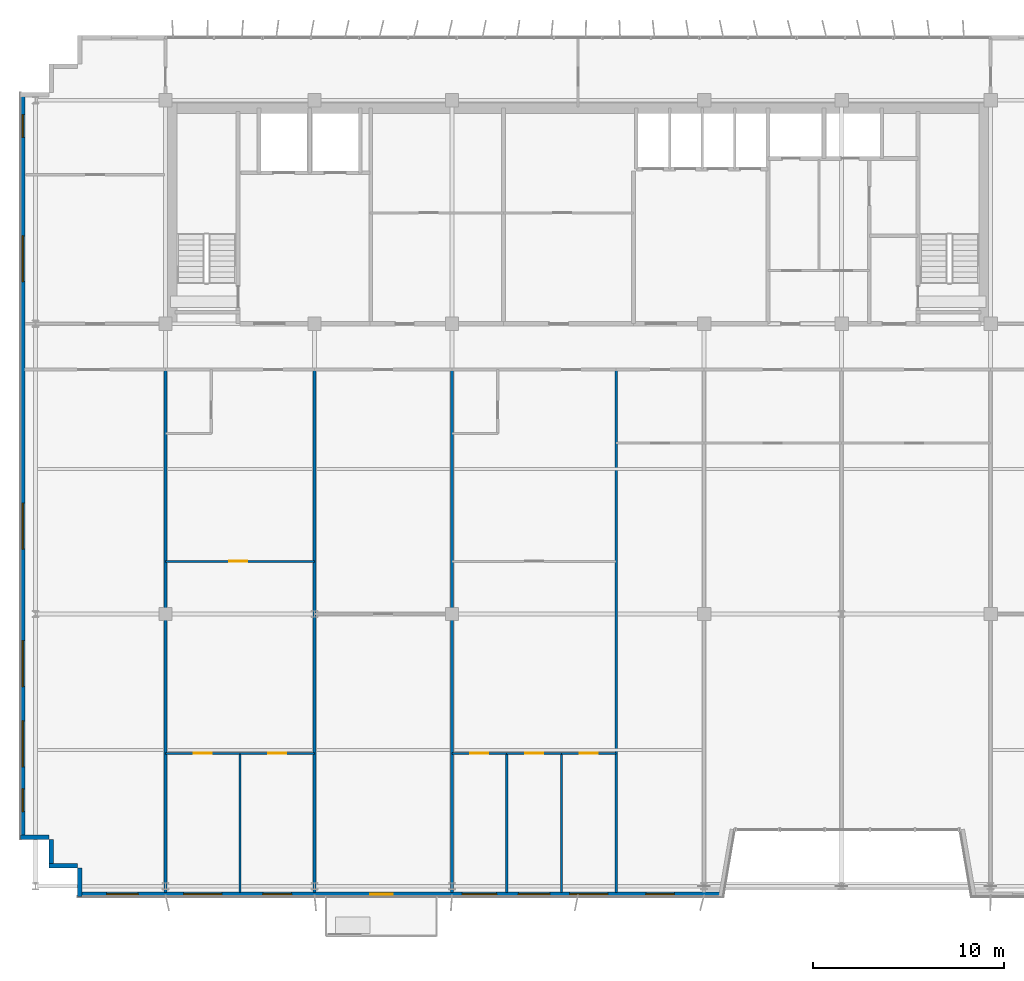
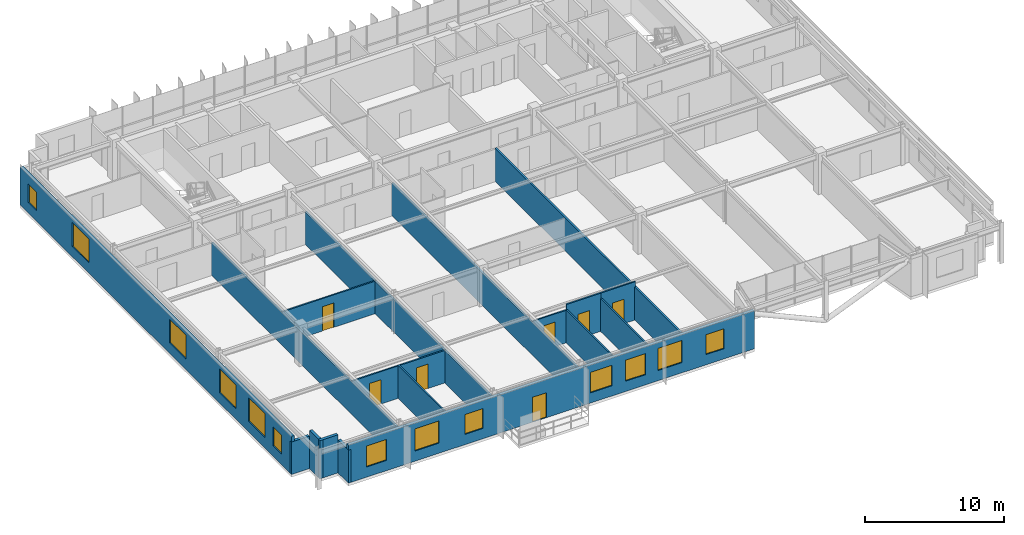
# One storey, part 21 of 27: 19 walls, 13 windows, 7 doors, 20 openings.
"""IFC4 building model written with IfcOpenShell, lengths in metres."""

from ifc_helpers import new_model, si_unit, direction, frame, frame_2d, origin, place, context, subcontext, project, spatial, rectangle, extrude, source, transform, mapped, material, layer, layer_set, type_object, element, fill, save


model = new_model("IFC4")

# Units and contexts
model_context = context("Model", 3, precision=1e-05, world=origin(), true_north=direction((0.0, 1.0)))
body_context = subcontext(model_context, "Body", "Model", "MODEL_VIEW")
ifc_project = project(units=[si_unit("LENGTHUNIT", "METRE"), si_unit("AREAUNIT", "SQUARE_METRE"), si_unit("VOLUMEUNIT", "CUBIC_METRE"), si_unit("PLANEANGLEUNIT", "RADIAN"), si_unit("MASSUNIT", "GRAM", prefix="KILO")], contexts=[model_context])

# Site, building, storey
site_placement = place(None, origin())
site = spatial("IfcSite", under=ifc_project, at=site_placement, CompositionType="ELEMENT")
building_placement = place(site_placement, origin())
building = spatial("IfcBuilding", under=site, at=building_placement, Name="Trelvane Seafront Commons", CompositionType="ELEMENT")
storey_placement = place(building_placement, frame((0.0, 0.0, 233.699951171875)))
storey = spatial("IfcBuildingStorey", under=building, at=storey_placement, Name="L61", CompositionType="ELEMENT", Elevation=233.699951171875)

# Walls
ifc_material_1 = material(Name="Precast concrete C40/50", Category="concrete")
ifc_layer_1 = layer(ifc_material_1, 0.239990234375, Name="ARCH-WALL-EXT240")
ifc_layer_set_1 = layer_set([ifc_layer_1], Name="Precast concrete C40/50")
wall_type_1 = type_object("IfcWallType", Name="ARCH-WALL-EXT240", PredefinedType="SOLIDWALL", material=ifc_layer_set_1)
for number, where, z_axis, x_axis, name in (
    (1, (11.0, 5.02001953125, 0.0), (0.0, 0.0, 1.0), (-1.0, 0.0, 0.0), "EW-L61-01231"),
    (2, (9.6201171875, 4.89990234375, 0.0), (0.0, 0.0, 1.0), (0.0, 1.0, 0.0), "EW-L61-01232"),
):
    element("IfcWall", number, at=place(storey_placement, frame(where, z_axis=z_axis, x_axis=x_axis)), inside=storey, type_object=wall_type_1, Name=name, PredefinedType="SOLIDWALL", context=body_context, shape_type="SweptSolid", body=[
        extrude(rectangle(XDim=1.5, YDim=0.239990234375, at=frame_2d((0.75, 0.0))), origin(), (0.0, 0.0, 1.0), 3.360107421875),
    ])
wall_1_placement = place(storey_placement, frame((9.5, 6.52001953125, 0.0), z_axis=(0.0, 0.0, 1.0), x_axis=(-1.0, 0.0, 0.0)))
element("IfcWall", 3, at=wall_1_placement, inside=storey, type_object=wall_type_1, Name="EW-L61-01233", PredefinedType="SOLIDWALL", context=body_context, shape_type="SweptSolid", body=[
    extrude(rectangle(XDim=1.5, YDim=0.239990234375, at=frame_2d((0.75, 0.0))), origin(), (0.0, 0.0, 1.0), 2.860107421875),
])

# Wall, openings, windows
wall_2_placement = place(storey_placement, frame((8.1201171875, 6.39990234375, 0.0), z_axis=(0.0, 0.0, 1.0), x_axis=(0.0, 1.0, 0.0)))
wall_2 = element("IfcWall", 4, at=wall_2_placement, inside=storey, type_object=wall_type_1, Name="EW-L61-01234", PredefinedType="SOLIDWALL", context=body_context, shape_type="SweptSolid", body=[
    extrude(rectangle(XDim=39.10009765625, YDim=0.239990234375, at=frame_2d((19.550048828125, 0.0))), origin(), (0.0, 0.0, 1.0), 3.360107421875),
])
opening_1_placement = place(wall_2_placement, frame((1.449951171875, 0.0, 0.919921875)))
opening_1 = element("IfcOpeningElement", 5, at=opening_1_placement, cuts=wall_2, Name="Opening W05", PredefinedType="OPENING", context=body_context, shape_type="SweptSolid", body=[
    extrude(rectangle(XDim=1.199951171875, YDim=1.64990234375, at=frame_2d((0.60009765625, 0.824951171875))), frame((0.0, 0.1298828125, 0.0), z_axis=(0.0, -1.0, 0.0), x_axis=(1.0, 0.0, 0.0)), (0.0, 0.0, 1.0), 0.260009765625),
])
opening_2_placement = place(wall_2_placement, frame((3.800048828125, 0.0, 0.919921875)))
opening_2 = element("IfcOpeningElement", 6, at=opening_2_placement, cuts=wall_2, Name="Opening W08", PredefinedType="OPENING", context=body_context, shape_type="SweptSolid", body=[
    extrude(rectangle(XDim=2.39990234375, YDim=2.10009765625, at=frame_2d((1.199951171875, 1.050048828125))), frame((0.0, 0.1298828125, 0.0), z_axis=(0.0, -1.0, 0.0), x_axis=(1.0, 0.0, 0.0)), (0.0, 0.0, 1.0), 0.260009765625),
])
opening_3_placement = place(wall_2_placement, frame((8.0, 0.0, 0.919921875)))
opening_3 = element("IfcOpeningElement", 7, at=opening_3_placement, cuts=wall_2, Name="Opening W08", PredefinedType="OPENING", context=body_context, shape_type="SweptSolid", body=[
    extrude(rectangle(XDim=2.39990234375, YDim=2.10009765625, at=frame_2d((1.199951171875, 1.050048828125))), frame((0.0, 0.1298828125, 0.0), z_axis=(0.0, -1.0, 0.0), x_axis=(1.0, 0.0, 0.0)), (0.0, 0.0, 1.0), 0.260009765625),
])
opening_4_placement = place(wall_2_placement, frame((15.199951171875, 0.0, 0.919921875)))
opening_4 = element("IfcOpeningElement", 8, at=opening_4_placement, cuts=wall_2, Name="Opening W08", PredefinedType="OPENING", context=body_context, shape_type="SweptSolid", body=[
    extrude(rectangle(XDim=2.39990234375, YDim=2.10009765625, at=frame_2d((1.199951171875, 1.050048828125))), frame((0.0, 0.1298828125, 0.0), z_axis=(0.0, -1.0, 0.0), x_axis=(1.0, 0.0, 0.0)), (0.0, 0.0, 1.0), 0.260009765625),
])
opening_5_placement = place(wall_2_placement, frame((29.199951171875, 0.0, 0.919921875)))
opening_5 = element("IfcOpeningElement", 9, at=opening_5_placement, cuts=wall_2, Name="Opening W08", PredefinedType="OPENING", context=body_context, shape_type="SweptSolid", body=[
    extrude(rectangle(XDim=2.39990234375, YDim=2.10009765625, at=frame_2d((1.199951171875, 1.050048828125))), frame((0.0, 0.1298828125, 0.0), z_axis=(0.0, -1.0, 0.0), x_axis=(1.0, 0.0, 0.0)), (0.0, 0.0, 1.0), 0.260009765625),
])
opening_6_placement = place(wall_2_placement, frame((36.75, 0.0, 0.919921875)))
opening_6 = element("IfcOpeningElement", 10, at=opening_6_placement, cuts=wall_2, Name="Opening W05", PredefinedType="OPENING", context=body_context, shape_type="SweptSolid", body=[
    extrude(rectangle(XDim=1.199951171875, YDim=1.64990234375, at=frame_2d((0.60009765625, 0.824951171875))), frame((0.0, 0.1298828125, 0.0), z_axis=(0.0, -1.0, 0.0), x_axis=(1.0, 0.0, 0.0)), (0.0, 0.0, 1.0), 0.260009765625),
])
ifc_material_2 = material(Name="Low-E coastal double glazing", Category="glass")
window_type_1 = type_object("IfcWindowType", Name="ARCH-WIN-W08", PartitioningType="SINGLE_PANEL", PredefinedType="WINDOW", material=ifc_material_2)
shared_shape_1 = source(origin(), body_context, "Body", "SweptSolid", [
    extrude(rectangle(XDim=2.39990234375, YDim=2.10009765625, at=frame_2d((1.199951171875, 1.050048828125))), frame((0.0, 0.030029296875, 0.0), z_axis=(0.0, -1.0, 0.0), x_axis=(1.0, 0.0, 0.0)), (0.0, 0.0, 1.0), 0.06005859375),
])
window_1_placement = place(opening_2_placement, origin())
window_1 = element("IfcWindow", 11, at=window_1_placement, inside=storey, type_object=window_type_1, Name="WIN-L61-EW-01491", OverallHeight=2.10009765625, OverallWidth=2.39990234375, PartitioningType="SINGLE_PANEL", PredefinedType="WINDOW", context=body_context, shape_type="MappedRepresentation", body=[
    mapped(shared_shape_1, transform((0.0, 0.0, 0.0), x_axis=(1.0, 0.0, 0.0), y_axis=(0.0, 1.0, 0.0), z_axis=(0.0, 0.0, 1.0), scale=1.0)),
])
fill(opening_2, window_1)
window_2_placement = place(opening_3_placement, origin())
window_2 = element("IfcWindow", 12, at=window_2_placement, inside=storey, type_object=window_type_1, Name="WIN-L61-EW-01492", OverallHeight=2.10009765625, OverallWidth=2.39990234375, PartitioningType="SINGLE_PANEL", PredefinedType="WINDOW", context=body_context, shape_type="MappedRepresentation", body=[
    mapped(shared_shape_1, transform((0.0, 0.0, 0.0), x_axis=(1.0, 0.0, 0.0), y_axis=(0.0, 1.0, 0.0), z_axis=(0.0, 0.0, 1.0), scale=1.0)),
])
fill(opening_3, window_2)
window_3_placement = place(opening_4_placement, origin())
window_3 = element("IfcWindow", 13, at=window_3_placement, inside=storey, type_object=window_type_1, Name="WIN-L61-EW-01493", OverallHeight=2.10009765625, OverallWidth=2.39990234375, PartitioningType="SINGLE_PANEL", PredefinedType="WINDOW", context=body_context, shape_type="MappedRepresentation", body=[
    mapped(shared_shape_1, transform((0.0, 0.0, 0.0), x_axis=(1.0, 0.0, 0.0), y_axis=(0.0, 1.0, 0.0), z_axis=(0.0, 0.0, 1.0), scale=1.0)),
])
fill(opening_4, window_3)
window_4_placement = place(opening_5_placement, origin())
window_4 = element("IfcWindow", 14, at=window_4_placement, inside=storey, type_object=window_type_1, Name="WIN-L61-EW-01494", OverallHeight=2.10009765625, OverallWidth=2.39990234375, PartitioningType="SINGLE_PANEL", PredefinedType="WINDOW", context=body_context, shape_type="MappedRepresentation", body=[
    mapped(shared_shape_1, transform((0.0, 0.0, 0.0), x_axis=(1.0, 0.0, 0.0), y_axis=(0.0, 1.0, 0.0), z_axis=(0.0, 0.0, 1.0), scale=1.0)),
])
fill(opening_5, window_4)
window_type_2 = type_object("IfcWindowType", Name="ARCH-WIN-W05", PartitioningType="SINGLE_PANEL", PredefinedType="WINDOW", material=ifc_material_2)
shared_shape_2 = source(origin(), body_context, "Body", "SweptSolid", [
    extrude(rectangle(XDim=1.199951171875, YDim=1.64990234375, at=frame_2d((0.60009765625, 0.824951171875))), frame((0.0, 0.030029296875, 0.0), z_axis=(0.0, -1.0, 0.0), x_axis=(1.0, 0.0, 0.0)), (0.0, 0.0, 1.0), 0.06005859375),
])
window_5_placement = place(opening_1_placement, origin())
window_5 = element("IfcWindow", 15, at=window_5_placement, inside=storey, type_object=window_type_2, Name="WIN-L61-EW-01490", OverallHeight=1.64990234375, OverallWidth=1.199951171875, PartitioningType="SINGLE_PANEL", PredefinedType="WINDOW", context=body_context, shape_type="MappedRepresentation", body=[
    mapped(shared_shape_2, transform((0.0, 0.0, 0.0), x_axis=(1.0, 0.0, 0.0), y_axis=(0.0, 1.0, 0.0), z_axis=(0.0, 0.0, 1.0), scale=1.0)),
])
fill(opening_1, window_5)
window_6_placement = place(opening_6_placement, origin())
window_6 = element("IfcWindow", 16, at=window_6_placement, inside=storey, type_object=window_type_2, Name="WIN-L61-EW-01495", OverallHeight=1.64990234375, OverallWidth=1.199951171875, PartitioningType="SINGLE_PANEL", PredefinedType="WINDOW", context=body_context, shape_type="MappedRepresentation", body=[
    mapped(shared_shape_2, transform((0.0, 0.0, 0.0), x_axis=(1.0, 0.0, 0.0), y_axis=(0.0, 1.0, 0.0), z_axis=(0.0, 0.0, 1.0), scale=1.0)),
])
fill(opening_6, window_6)

# Wall, openings, door, windows
wall_3_placement = place(storey_placement, frame((44.800048828125, 3.52001953125, 0.0), z_axis=(0.0, 0.0, 1.0), x_axis=(-1.0, 0.0, 0.0)))
wall_3 = element("IfcWall", 17, at=wall_3_placement, inside=storey, type_object=wall_type_1, Name="EW-L61-01251", PredefinedType="SOLIDWALL", context=body_context, shape_type="SweptSolid", body=[
    extrude(rectangle(XDim=33.800048828125, YDim=0.239990234375, at=frame_2d((16.89990234375, 0.0))), origin(), (0.0, 0.0, 1.0), 3.360107421875),
])
opening_7_placement = place(wall_3_placement, frame((2.550048828125, 0.0, 0.89990234375)))
opening_7 = element("IfcOpeningElement", 18, at=opening_7_placement, cuts=wall_3, Name="Opening W03", PredefinedType="OPENING", context=body_context, shape_type="SweptSolid", body=[
    extrude(rectangle(XDim=1.5, YDim=1.75, at=frame_2d((0.75, 0.875))), frame((0.0, 0.1298828125, 0.0), z_axis=(0.0, -1.0, 0.0), x_axis=(1.0, 0.0, 0.0)), (0.0, 0.0, 1.0), 0.260009765625),
])
opening_8_placement = place(wall_3_placement, frame((6.033935546875, 0.0, 0.89990234375)))
opening_8 = element("IfcOpeningElement", 19, at=opening_8_placement, cuts=wall_3, Name="Opening W06", PredefinedType="OPENING", context=body_context, shape_type="SweptSolid", body=[
    extrude(rectangle(XDim=2.0, YDim=1.949951171875, at=frame_2d((1.0, 0.97509765625))), frame((0.0, 0.1298828125, 0.0), z_axis=(0.0, -1.0, 0.0), x_axis=(1.0, 0.0, 0.0)), (0.0, 0.0, 1.0), 0.260009765625),
])
opening_9_placement = place(wall_3_placement, frame((9.074951171875, 0.0, 0.89990234375)))
opening_9 = element("IfcOpeningElement", 20, at=opening_9_placement, cuts=wall_3, Name="Opening W07", PredefinedType="OPENING", context=body_context, shape_type="SweptSolid", body=[
    extrude(rectangle(XDim=1.64990234375, YDim=1.85009765625, at=frame_2d((0.824951171875, 0.925048828125))), frame((0.0, 0.1298828125, 0.0), z_axis=(0.0, -1.0, 0.0), x_axis=(1.0, 0.0, 0.0)), (0.0, 0.0, 1.0), 0.260009765625),
])
opening_10_placement = place(wall_3_placement, frame((11.866943359375, 0.0, 0.89990234375)))
opening_10 = element("IfcOpeningElement", 21, at=opening_10_placement, cuts=wall_3, Name="Opening W01", PredefinedType="OPENING", context=body_context, shape_type="SweptSolid", body=[
    extrude(rectangle(XDim=1.800048828125, YDim=1.800048828125, at=frame_2d((0.89990234375, 0.89990234375))), frame((0.0, 0.1298828125, 0.0), z_axis=(0.0, -1.0, 0.0), x_axis=(1.0, 0.0, 0.0)), (0.0, 0.0, 1.0), 0.260009765625),
])
opening_11_placement = place(wall_3_placement, frame((17.291015625, 0.0, 0.0)))
opening_11 = element("IfcOpeningElement", 22, at=opening_11_placement, cuts=wall_3, Name="Opening BD-L61-128", PredefinedType="OPENING", context=body_context, shape_type="SweptSolid", body=[
    extrude(rectangle(XDim=1.199951171875, YDim=2.199951171875, at=frame_2d((0.60009765625, 1.10009765625))), frame((0.0, 0.1298828125, 0.0), z_axis=(0.0, -1.0, 0.0), x_axis=(1.0, 0.0, 0.0)), (0.0, 0.0, 1.0), 0.260009765625),
])
opening_12_placement = place(wall_3_placement, frame((22.60009765625, 0.0, 0.89990234375)))
opening_12 = element("IfcOpeningElement", 23, at=opening_12_placement, cuts=wall_3, Name="Opening W03", PredefinedType="OPENING", context=body_context, shape_type="SweptSolid", body=[
    extrude(rectangle(XDim=1.5, YDim=1.75, at=frame_2d((0.75, 0.875))), frame((0.0, 0.1298828125, 0.0), z_axis=(0.0, -1.0, 0.0), x_axis=(1.0, 0.0, 0.0)), (0.0, 0.0, 1.0), 0.260009765625),
])
opening_13_placement = place(wall_3_placement, frame((26.25, 0.0, 0.89990234375)))
opening_13 = element("IfcOpeningElement", 24, at=opening_13_placement, cuts=wall_3, Name="Opening W06", PredefinedType="OPENING", context=body_context, shape_type="SweptSolid", body=[
    extrude(rectangle(XDim=2.0, YDim=1.949951171875, at=frame_2d((1.0, 0.97509765625))), frame((0.0, 0.1298828125, 0.0), z_axis=(0.0, -1.0, 0.0), x_axis=(1.0, 0.0, 0.0)), (0.0, 0.0, 1.0), 0.260009765625),
])
opening_14_placement = place(wall_3_placement, frame((30.6298828125, 0.0, 0.89990234375)))
opening_14 = element("IfcOpeningElement", 25, at=opening_14_placement, cuts=wall_3, Name="Opening W07", PredefinedType="OPENING", context=body_context, shape_type="SweptSolid", body=[
    extrude(rectangle(XDim=1.64990234375, YDim=1.85009765625, at=frame_2d((0.824951171875, 0.925048828125))), frame((0.0, 0.1298828125, 0.0), z_axis=(0.0, -1.0, 0.0), x_axis=(1.0, 0.0, 0.0)), (0.0, 0.0, 1.0), 0.260009765625),
])
ifc_material_3 = material(Name="Powder-coated aluminium frame", Category="aluminium")
door_type_1 = type_object("IfcDoorType", Name="ARCH-DR-BAL1200", OperationType="NOTDEFINED", PredefinedType="DOOR", material=ifc_material_3)
shared_shape_3 = source(origin(), body_context, "Body", "SweptSolid", [
    extrude(rectangle(XDim=1.199951171875, YDim=2.199951171875, at=frame_2d((0.60009765625, 1.10009765625))), frame((0.0, 0.02490234375, 0.0), z_axis=(0.0, -1.0, 0.0), x_axis=(1.0, 0.0, 0.0)), (0.0, 0.0, 1.0), 0.050048828125),
])
door_1_placement = place(opening_11_placement, origin())
door_1 = element("IfcDoor", 26, at=door_1_placement, inside=storey, type_object=door_type_1, Name="L61 Balcony Terrace Access Door", OperationType="SINGLE_SWING_LEFT", OverallHeight=2.199951171875, OverallWidth=1.199951171875, PredefinedType="DOOR", context=body_context, shape_type="MappedRepresentation", body=[
    mapped(shared_shape_3, transform((0.0, 0.0, 0.0), x_axis=(1.0, 0.0, 0.0), y_axis=(0.0, 1.0, 0.0), z_axis=(0.0, 0.0, 1.0), scale=1.0)),
])
fill(opening_11, door_1)
window_type_3 = type_object("IfcWindowType", Name="ARCH-WIN-W03", PartitioningType="SINGLE_PANEL", PredefinedType="WINDOW", material=ifc_material_2)
shared_shape_4 = source(origin(), body_context, "Body", "SweptSolid", [
    extrude(rectangle(XDim=1.5, YDim=1.75, at=frame_2d((0.75, 0.875))), frame((0.0, 0.030029296875, 0.0), z_axis=(0.0, -1.0, 0.0), x_axis=(1.0, 0.0, 0.0)), (0.0, 0.0, 1.0), 0.06005859375),
])
window_7_placement = place(opening_7_placement, origin())
window_7 = element("IfcWindow", 27, at=window_7_placement, inside=storey, type_object=window_type_3, Name="WIN-L61-01504", OverallHeight=1.75, OverallWidth=1.5, PartitioningType="SINGLE_PANEL", PredefinedType="WINDOW", context=body_context, shape_type="MappedRepresentation", body=[
    mapped(shared_shape_4, transform((0.0, 0.0, 0.0), x_axis=(1.0, 0.0, 0.0), y_axis=(0.0, 1.0, 0.0), z_axis=(0.0, 0.0, 1.0), scale=1.0)),
])
fill(opening_7, window_7)
window_8_placement = place(opening_12_placement, origin())
window_8 = element("IfcWindow", 28, at=window_8_placement, inside=storey, type_object=window_type_3, Name="WIN-L61-01508", OverallHeight=1.75, OverallWidth=1.5, PartitioningType="SINGLE_PANEL", PredefinedType="WINDOW", context=body_context, shape_type="MappedRepresentation", body=[
    mapped(shared_shape_4, transform((0.0, 0.0, 0.0), x_axis=(1.0, 0.0, 0.0), y_axis=(0.0, 1.0, 0.0), z_axis=(0.0, 0.0, 1.0), scale=1.0)),
])
fill(opening_12, window_8)
window_type_4 = type_object("IfcWindowType", Name="ARCH-WIN-W06", PartitioningType="SINGLE_PANEL", PredefinedType="WINDOW", material=ifc_material_2)
shared_shape_5 = source(origin(), body_context, "Body", "SweptSolid", [
    extrude(rectangle(XDim=2.0, YDim=1.949951171875, at=frame_2d((1.0, 0.97509765625))), frame((0.0, 0.030029296875, 0.0), z_axis=(0.0, -1.0, 0.0), x_axis=(1.0, 0.0, 0.0)), (0.0, 0.0, 1.0), 0.06005859375),
])
window_9_placement = place(opening_8_placement, origin())
window_9 = element("IfcWindow", 29, at=window_9_placement, inside=storey, type_object=window_type_4, Name="WIN-L61-01505", OverallHeight=1.949951171875, OverallWidth=2.0, PartitioningType="SINGLE_PANEL", PredefinedType="WINDOW", context=body_context, shape_type="MappedRepresentation", body=[
    mapped(shared_shape_5, transform((0.0, 0.0, 0.0), x_axis=(1.0, 0.0, 0.0), y_axis=(0.0, 1.0, 0.0), z_axis=(0.0, 0.0, 1.0), scale=1.0)),
])
fill(opening_8, window_9)
window_10_placement = place(opening_13_placement, origin())
window_10 = element("IfcWindow", 30, at=window_10_placement, inside=storey, type_object=window_type_4, Name="WIN-L61-01509", OverallHeight=1.949951171875, OverallWidth=2.0, PartitioningType="SINGLE_PANEL", PredefinedType="WINDOW", context=body_context, shape_type="MappedRepresentation", body=[
    mapped(shared_shape_5, transform((0.0, 0.0, 0.0), x_axis=(1.0, 0.0, 0.0), y_axis=(0.0, 1.0, 0.0), z_axis=(0.0, 0.0, 1.0), scale=1.0)),
])
fill(opening_13, window_10)
window_type_5 = type_object("IfcWindowType", Name="ARCH-WIN-W01", PartitioningType="SINGLE_PANEL", PredefinedType="WINDOW", material=ifc_material_2)
shared_shape_6 = source(origin(), body_context, "Body", "SweptSolid", [
    extrude(rectangle(XDim=1.800048828125, YDim=1.800048828125, at=frame_2d((0.89990234375, 0.89990234375))), frame((0.0, 0.030029296875, 0.0), z_axis=(0.0, -1.0, 0.0), x_axis=(1.0, 0.0, 0.0)), (0.0, 0.0, 1.0), 0.06005859375),
])
window_11_placement = place(opening_10_placement, origin())
window_11 = element("IfcWindow", 31, at=window_11_placement, inside=storey, type_object=window_type_5, Name="WIN-L61-01507", OverallHeight=1.800048828125, OverallWidth=1.800048828125, PartitioningType="SINGLE_PANEL", PredefinedType="WINDOW", context=body_context, shape_type="MappedRepresentation", body=[
    mapped(shared_shape_6, transform((0.0, 0.0, 0.0), x_axis=(1.0, 0.0, 0.0), y_axis=(0.0, 1.0, 0.0), z_axis=(0.0, 0.0, 1.0), scale=1.0)),
])
fill(opening_10, window_11)
window_type_6 = type_object("IfcWindowType", Name="ARCH-WIN-W07", PartitioningType="SINGLE_PANEL", PredefinedType="WINDOW", material=ifc_material_2)
shared_shape_7 = source(origin(), body_context, "Body", "SweptSolid", [
    extrude(rectangle(XDim=1.64990234375, YDim=1.85009765625, at=frame_2d((0.824951171875, 0.925048828125))), frame((0.0, 0.030029296875, 0.0), z_axis=(0.0, -1.0, 0.0), x_axis=(1.0, 0.0, 0.0)), (0.0, 0.0, 1.0), 0.06005859375),
])
window_12_placement = place(opening_9_placement, origin())
window_12 = element("IfcWindow", 32, at=window_12_placement, inside=storey, type_object=window_type_6, Name="WIN-L61-01506", OverallHeight=1.85009765625, OverallWidth=1.64990234375, PartitioningType="SINGLE_PANEL", PredefinedType="WINDOW", context=body_context, shape_type="MappedRepresentation", body=[
    mapped(shared_shape_7, transform((0.0, 0.0, 0.0), x_axis=(1.0, 0.0, 0.0), y_axis=(0.0, 1.0, 0.0), z_axis=(0.0, 0.0, 1.0), scale=1.0)),
])
fill(opening_9, window_12)
window_13_placement = place(opening_14_placement, origin())
window_13 = element("IfcWindow", 33, at=window_13_placement, inside=storey, type_object=window_type_6, Name="WIN-L61-01510", OverallHeight=1.85009765625, OverallWidth=1.64990234375, PartitioningType="SINGLE_PANEL", PredefinedType="WINDOW", context=body_context, shape_type="MappedRepresentation", body=[
    mapped(shared_shape_7, transform((0.0, 0.0, 0.0), x_axis=(1.0, 0.0, 0.0), y_axis=(0.0, 1.0, 0.0), z_axis=(0.0, 0.0, 1.0), scale=1.0)),
])
fill(opening_14, window_13)

# Wall
wall_4_placement = place(storey_placement, frame((11.1201171875, 3.39990234375, 0.0), z_axis=(0.0, 0.0, 1.0), x_axis=(0.0, 1.0, 0.0)))
element("IfcWall", 34, at=wall_4_placement, inside=storey, type_object=wall_type_1, Name="EW-L61-01252", PredefinedType="SOLIDWALL", context=body_context, shape_type="SweptSolid", body=[
    extrude(rectangle(XDim=1.5, YDim=0.239990234375, at=frame_2d((0.75, 0.0))), origin(), (0.0, 0.0, 1.0), 2.91015625),
])

# Wall, opening, door
ifc_material_4 = material(Name="Gypsum Drywall Acoustic Partition")
ifc_layer_2 = layer(ifc_material_4, 0.1201171875, Name="ARCH-WALL-PART120")
ifc_layer_set_2 = layer_set([ifc_layer_2], Name="Gypsum Drywall Acoustic Partition")
wall_type_2 = type_object("IfcWallType", Name="ARCH-WALL-PART120", PredefinedType="PARTITIONING", material=ifc_layer_set_2)
wall_5_placement = place(storey_placement, frame((15.60009765625, 20.949951171875, 0.0), z_axis=(0.0, 0.0, 1.0), x_axis=(1.0, 0.0, 0.0)))
wall_5 = element("IfcWall", 35, at=wall_5_placement, inside=storey, type_object=wall_type_2, Name="W-L61-U2-KL-049", PredefinedType="PARTITIONING", context=body_context, shape_type="SweptSolid", body=[
    extrude(rectangle(XDim=7.7998046875, YDim=0.1201171875, at=frame_2d((3.89990234375, 0.0))), origin(), (0.0, 0.0, 1.0), 2.860107421875),
])
opening_15_placement = place(wall_5_placement, frame((3.3330078125, 0.0, 0.0)))
opening_15 = element("IfcOpeningElement", 36, at=opening_15_placement, cuts=wall_5, Name="Opening D-L61-29", PredefinedType="OPENING", context=body_context, shape_type="SweptSolid", body=[
    extrude(rectangle(XDim=0.949951171875, YDim=2.14990234375, at=frame_2d((0.47509765625, 1.074951171875))), frame((0.0, 0.070068359375, 0.0), z_axis=(0.0, -1.0, 0.0), x_axis=(1.0, 0.0, 0.0)), (0.0, 0.0, 1.0), 0.14013671875),
])
ifc_material_5 = material(Name="Acoustic timber door leaf", Category="wood")
door_type_2 = type_object("IfcDoorType", Name="ARCH-DR-INT950", OperationType="NOTDEFINED", PredefinedType="DOOR", material=ifc_material_5)
shared_shape_8 = source(origin(), body_context, "Body", "SweptSolid", [
    extrude(rectangle(XDim=0.949951171875, YDim=2.14990234375, at=frame_2d((0.47509765625, 1.074951171875))), frame((0.0, 0.02490234375, 0.0), z_axis=(0.0, -1.0, 0.0), x_axis=(1.0, 0.0, 0.0)), (0.0, 0.0, 1.0), 0.050048828125),
])
door_2_placement = place(opening_15_placement, origin())
door_2 = element("IfcDoor", 37, at=door_2_placement, inside=storey, type_object=door_type_2, Name="L61 Door 29", OperationType="SINGLE_SWING_LEFT", OverallHeight=2.14990234375, OverallWidth=0.949951171875, PredefinedType="DOOR", context=body_context, shape_type="MappedRepresentation", body=[
    mapped(shared_shape_8, transform((0.0, 0.0, 0.0), x_axis=(1.0, 0.0, 0.0), y_axis=(0.0, 1.0, 0.0), z_axis=(0.0, 0.0, 1.0), scale=1.0)),
])
fill(opening_15, door_2)

wall_6_placement = place(storey_placement, frame((15.60009765625, 10.89990234375, 0.0), z_axis=(0.0, 0.0, 1.0), x_axis=(1.0, 0.0, 0.0)))
wall_6 = element("IfcWall", 38, at=wall_6_placement, inside=storey, type_object=wall_type_2, Name="W-L61-U2-YM-1-053", PredefinedType="PARTITIONING", context=body_context, shape_type="SweptSolid", body=[
    extrude(rectangle(XDim=3.89990234375, YDim=0.1201171875, at=frame_2d((1.949951171875, 0.0))), origin(), (0.0, 0.0, 1.0), 2.860107421875),
])
opening_16_placement = place(wall_6_placement, frame((1.47509765625, 0.0, 0.0)))
opening_16 = element("IfcOpeningElement", 39, at=opening_16_placement, cuts=wall_6, Name="Opening D-L61-32", PredefinedType="OPENING", context=body_context, shape_type="SweptSolid", body=[
    extrude(rectangle(XDim=0.949951171875, YDim=2.14990234375, at=frame_2d((0.47509765625, 1.074951171875))), frame((0.0, 0.070068359375, 0.0), z_axis=(0.0, -1.0, 0.0), x_axis=(1.0, 0.0, 0.0)), (0.0, 0.0, 1.0), 0.14013671875),
])
door_3_placement = place(opening_16_placement, origin())
door_3 = element("IfcDoor", 40, at=door_3_placement, inside=storey, type_object=door_type_2, Name="L61 Door 32", OperationType="SINGLE_SWING_RIGHT", OverallHeight=2.14990234375, OverallWidth=0.949951171875, PredefinedType="DOOR", context=body_context, shape_type="MappedRepresentation", body=[
    mapped(shared_shape_8, transform((0.0, 0.0, 0.0), x_axis=(1.0, 0.0, 0.0), y_axis=(0.0, 1.0, 0.0), z_axis=(0.0, 0.0, 1.0), scale=1.0)),
])
fill(opening_16, door_3)

wall_7_placement = place(storey_placement, frame((19.5, 10.89990234375, 0.0), z_axis=(0.0, 0.0, 1.0), x_axis=(1.0, 0.0, 0.0)))
wall_7 = element("IfcWall", 41, at=wall_7_placement, inside=storey, type_object=wall_type_2, Name="W-L61-U2-YM-2-054", PredefinedType="PARTITIONING", context=body_context, shape_type="SweptSolid", body=[
    extrude(rectangle(XDim=3.89990234375, YDim=0.1201171875, at=frame_2d((1.949951171875, 0.0))), origin(), (0.0, 0.0, 1.0), 2.860107421875),
])
opening_17_placement = place(wall_7_placement, frame((1.47509765625, 0.0, 0.0)))
opening_17 = element("IfcOpeningElement", 42, at=opening_17_placement, cuts=wall_7, Name="Opening D-L61-33", PredefinedType="OPENING", context=body_context, shape_type="SweptSolid", body=[
    extrude(rectangle(XDim=0.949951171875, YDim=2.14990234375, at=frame_2d((0.47509765625, 1.074951171875))), frame((0.0, 0.070068359375, 0.0), z_axis=(0.0, -1.0, 0.0), x_axis=(1.0, 0.0, 0.0)), (0.0, 0.0, 1.0), 0.14013671875),
])
door_4_placement = place(opening_17_placement, origin())
door_4 = element("IfcDoor", 43, at=door_4_placement, inside=storey, type_object=door_type_2, Name="L61 Door 33", OperationType="SINGLE_SWING_LEFT", OverallHeight=2.14990234375, OverallWidth=0.949951171875, PredefinedType="DOOR", context=body_context, shape_type="MappedRepresentation", body=[
    mapped(shared_shape_8, transform((0.0, 0.0, 0.0), x_axis=(1.0, 0.0, 0.0), y_axis=(0.0, 1.0, 0.0), z_axis=(0.0, 0.0, 1.0), scale=1.0)),
])
fill(opening_17, door_4)

# Wall
wall_8_placement = place(storey_placement, frame((19.5, 3.625, 0.0), z_axis=(0.0, 0.0, 1.0), x_axis=(0.0, 1.0, 0.0)))
element("IfcWall", 44, at=wall_8_placement, inside=storey, type_object=wall_type_2, Name="W-L61-U2-BDV-1-055", PredefinedType="PARTITIONING", context=body_context, shape_type="SweptSolid", body=[
    extrude(rectangle(XDim=7.27490234375, YDim=0.1201171875, at=frame_2d((3.637451171875, 0.0))), origin(), (0.0, 0.0, 1.0), 2.91015625),
])

# Wall, opening, door
wall_9_placement = place(storey_placement, frame((30.60009765625, 10.89990234375, 0.0), z_axis=(0.0, 0.0, 1.0), x_axis=(1.0, 0.0, 0.0)))
wall_9 = element("IfcWall", 45, at=wall_9_placement, inside=storey, type_object=wall_type_2, Name="W-L61-U4-YM-1-062", PredefinedType="PARTITIONING", context=body_context, shape_type="SweptSolid", body=[
    extrude(rectangle(XDim=2.866943359375, YDim=0.1201171875, at=frame_2d((1.43359375, 0.0))), origin(), (0.0, 0.0, 1.0), 2.860107421875),
])
opening_18_placement = place(wall_9_placement, frame((0.9580078125, 0.0, 0.0)))
opening_18 = element("IfcOpeningElement", 46, at=opening_18_placement, cuts=wall_9, Name="Opening D-L61-39", PredefinedType="OPENING", context=body_context, shape_type="SweptSolid", body=[
    extrude(rectangle(XDim=0.949951171875, YDim=2.14990234375, at=frame_2d((0.47509765625, 1.074951171875))), frame((0.0, 0.070068359375, 0.0), z_axis=(0.0, -1.0, 0.0), x_axis=(1.0, 0.0, 0.0)), (0.0, 0.0, 1.0), 0.14013671875),
])
door_5_placement = place(opening_18_placement, origin())
door_5 = element("IfcDoor", 47, at=door_5_placement, inside=storey, type_object=door_type_2, Name="L61 Door 39", OperationType="SINGLE_SWING_LEFT", OverallHeight=2.14990234375, OverallWidth=0.949951171875, PredefinedType="DOOR", context=body_context, shape_type="MappedRepresentation", body=[
    mapped(shared_shape_8, transform((0.0, 0.0, 0.0), x_axis=(1.0, 0.0, 0.0), y_axis=(0.0, 1.0, 0.0), z_axis=(0.0, 0.0, 1.0), scale=1.0)),
])
fill(opening_18, door_5)

wall_10_placement = place(storey_placement, frame((33.467041015625, 10.89990234375, 0.0), z_axis=(0.0, 0.0, 1.0), x_axis=(1.0, 0.0, 0.0)))
wall_10 = element("IfcWall", 48, at=wall_10_placement, inside=storey, type_object=wall_type_2, Name="W-L61-U4-YM-2-063", PredefinedType="PARTITIONING", context=body_context, shape_type="SweptSolid", body=[
    extrude(rectangle(XDim=2.865966796875, YDim=0.1201171875, at=frame_2d((1.43310546875, 0.0))), origin(), (0.0, 0.0, 1.0), 3.360107421875),
])
opening_19_placement = place(wall_10_placement, frame((0.9580078125, 0.0, 0.0)))
opening_19 = element("IfcOpeningElement", 49, at=opening_19_placement, cuts=wall_10, Name="Opening D-L61-40", PredefinedType="OPENING", context=body_context, shape_type="SweptSolid", body=[
    extrude(rectangle(XDim=0.949951171875, YDim=2.14990234375, at=frame_2d((0.47509765625, 1.074951171875))), frame((0.0, 0.070068359375, 0.0), z_axis=(0.0, -1.0, 0.0), x_axis=(1.0, 0.0, 0.0)), (0.0, 0.0, 1.0), 0.14013671875),
])
door_6_placement = place(opening_19_placement, origin())
door_6 = element("IfcDoor", 50, at=door_6_placement, inside=storey, type_object=door_type_2, Name="L61 Door 40", OperationType="SINGLE_SWING_RIGHT", OverallHeight=2.14990234375, OverallWidth=0.949951171875, PredefinedType="DOOR", context=body_context, shape_type="MappedRepresentation", body=[
    mapped(shared_shape_8, transform((0.0, 0.0, 0.0), x_axis=(1.0, 0.0, 0.0), y_axis=(0.0, 1.0, 0.0), z_axis=(0.0, 0.0, 1.0), scale=1.0)),
])
fill(opening_19, door_6)

# Wall
wall_11_placement = place(storey_placement, frame((33.467041015625, 3.625, 0.0), z_axis=(0.0, 0.0, 1.0), x_axis=(0.0, 1.0, 0.0)))
element("IfcWall", 51, at=wall_11_placement, inside=storey, type_object=wall_type_2, Name="W-L61-U4-BDV-1-064", PredefinedType="PARTITIONING", context=body_context, shape_type="SweptSolid", body=[
    extrude(rectangle(XDim=7.27490234375, YDim=0.1201171875, at=frame_2d((3.637451171875, 0.0))), origin(), (0.0, 0.0, 1.0), 2.91015625),
])

# Wall, opening, door
wall_12_placement = place(storey_placement, frame((36.3330078125, 10.89990234375, 0.0), z_axis=(0.0, 0.0, 1.0), x_axis=(1.0, 0.0, 0.0)))
wall_12 = element("IfcWall", 52, at=wall_12_placement, inside=storey, type_object=wall_type_2, Name="W-L61-U4-YM-3-065", PredefinedType="PARTITIONING", context=body_context, shape_type="SweptSolid", body=[
    extrude(rectangle(XDim=2.866943359375, YDim=0.1201171875, at=frame_2d((1.43359375, 0.0))), origin(), (0.0, 0.0, 1.0), 3.360107421875),
])
opening_20_placement = place(wall_12_placement, frame((0.958984375, 0.0, 0.0)))
opening_20 = element("IfcOpeningElement", 53, at=opening_20_placement, cuts=wall_12, Name="Opening D-L61-41", PredefinedType="OPENING", context=body_context, shape_type="SweptSolid", body=[
    extrude(rectangle(XDim=0.949951171875, YDim=2.14990234375, at=frame_2d((0.47509765625, 1.074951171875))), frame((0.0, 0.070068359375, 0.0), z_axis=(0.0, -1.0, 0.0), x_axis=(1.0, 0.0, 0.0)), (0.0, 0.0, 1.0), 0.14013671875),
])
door_7_placement = place(opening_20_placement, origin())
door_7 = element("IfcDoor", 54, at=door_7_placement, inside=storey, type_object=door_type_2, Name="L61 Door 41", OperationType="SINGLE_SWING_LEFT", OverallHeight=2.14990234375, OverallWidth=0.949951171875, PredefinedType="DOOR", context=body_context, shape_type="MappedRepresentation", body=[
    mapped(shared_shape_8, transform((0.0, 0.0, 0.0), x_axis=(1.0, 0.0, 0.0), y_axis=(0.0, 1.0, 0.0), z_axis=(0.0, 0.0, 1.0), scale=1.0)),
])
fill(opening_20, door_7)

# Walls
wall_13_placement = place(storey_placement, frame((36.3330078125, 3.625, 0.0), z_axis=(0.0, 0.0, 1.0), x_axis=(0.0, 1.0, 0.0)))
element("IfcWall", 55, at=wall_13_placement, inside=storey, type_object=wall_type_2, Name="W-L61-U4-BDV-2-066", PredefinedType="PARTITIONING", context=body_context, shape_type="SweptSolid", body=[
    extrude(rectangle(XDim=7.27490234375, YDim=0.1201171875, at=frame_2d((3.637451171875, 0.0))), origin(), (0.0, 0.0, 1.0), 2.91015625),
])
ifc_layer_3 = layer(ifc_material_4, 0.14990234375, Name="ARCH-WALL-PART150")
ifc_layer_set_3 = layer_set([ifc_layer_3], Name="Gypsum Drywall Acoustic Partition")
wall_type_3 = type_object("IfcWallType", Name="ARCH-WALL-PART150", PredefinedType="PARTITIONING", material=ifc_layer_set_3)
for number, where, z_axis, x_axis, name in (
    (56, (15.60009765625, 3.625, 0.0), (0.0, 0.0, 1.0), (0.0, 1.0, 0.0), "W-L61-PW-1-041"),
    (57, (23.39990234375, 3.625, 0.0), (0.0, 0.0, 1.0), (0.0, 1.0, 0.0), "W-L61-PW-2-042"),
    (58, (30.60009765625, 3.625, 0.0), (0.0, 0.0, 1.0), (0.0, 1.0, 0.0), "W-L61-PW-3-043"),
):
    element("IfcWall", number, at=place(storey_placement, frame(where, z_axis=z_axis, x_axis=x_axis)), inside=storey, type_object=wall_type_3, Name=name, PredefinedType="PARTITIONING", context=body_context, shape_type="SweptSolid", body=[
        extrude(rectangle(XDim=27.375, YDim=0.14990234375, at=frame_2d((13.6875, 0.0))), origin(), (0.0, 0.0, 1.0), 2.860107421875),
    ])
wall_14_placement = place(storey_placement, frame((39.199951171875, 3.625, 0.0), z_axis=(0.0, 0.0, 1.0), x_axis=(0.0, 1.0, 0.0)))
element("IfcWall", 59, at=wall_14_placement, inside=storey, type_object=wall_type_3, Name="W-L61-PW-4-044", PredefinedType="PARTITIONING", context=body_context, shape_type="SweptSolid", body=[
    extrude(rectangle(XDim=27.375, YDim=0.14990234375, at=frame_2d((13.6875, 0.0))), origin(), (0.0, 0.0, 1.0), 2.91015625),
])

save(model, "model.ifc")
